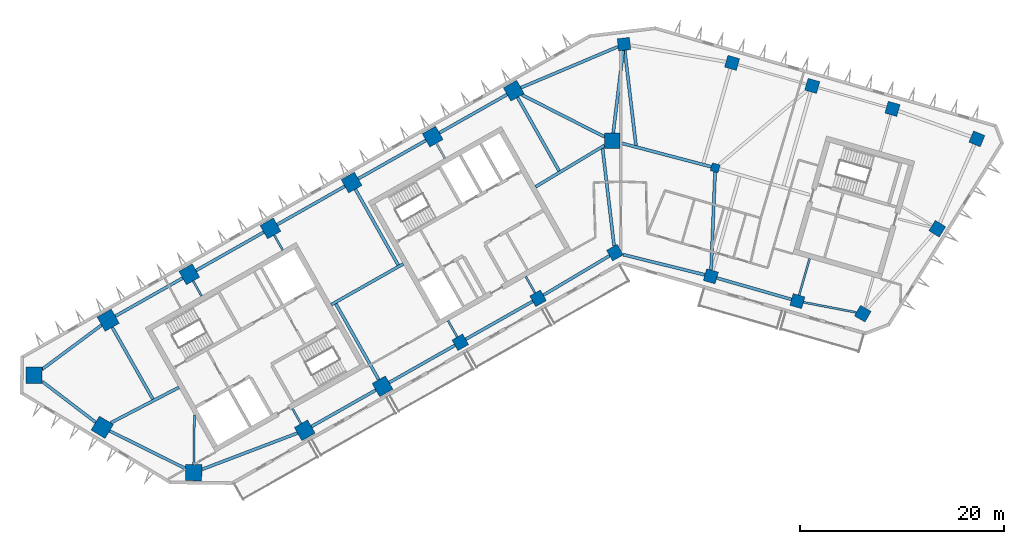
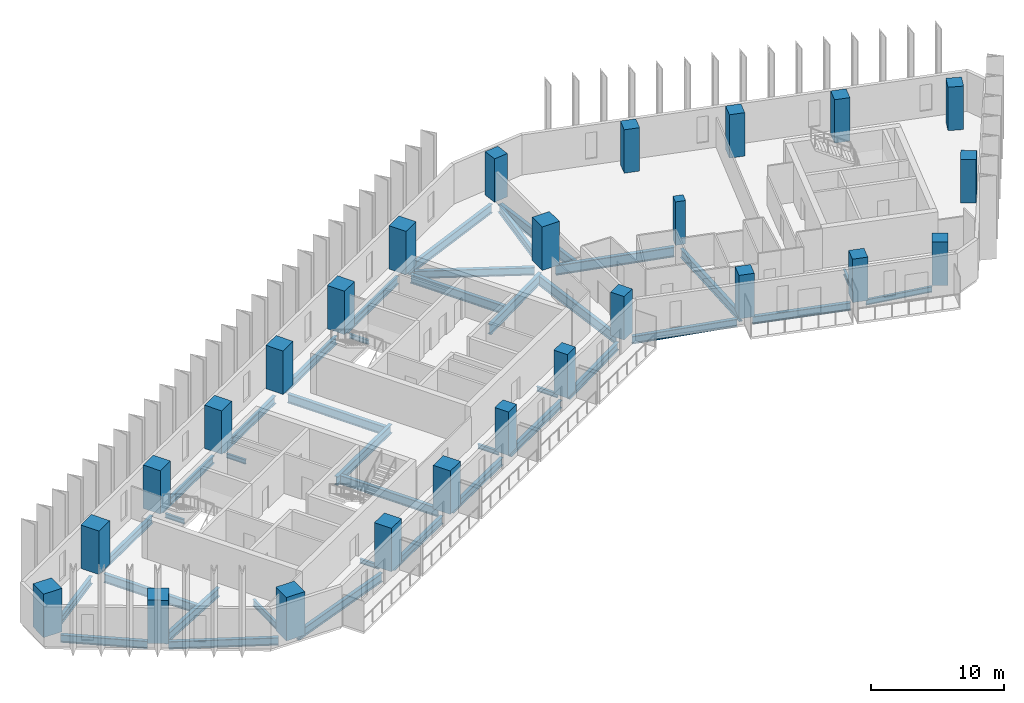
# One storey, part 1 of 10: 38 beams, 25 columns.
"""IFC4 building model written with IfcOpenShell, lengths in metres."""

from ifc_helpers import new_model, si_unit, direction, frame, origin, origin_2d, place, context, subcontext, project, spatial, rectangle, i_section, extrude, material, material_profile, profile_set, type_object, element, save


model = new_model("IFC4")

# Units and contexts
model_context = context("Model", 3, precision=1e-05, world=origin(), true_north=direction((0.0, 1.0)))
body_context = subcontext(model_context, "Body", "Model", "MODEL_VIEW")
ifc_project = project(units=[si_unit("LENGTHUNIT", "METRE"), si_unit("AREAUNIT", "SQUARE_METRE"), si_unit("VOLUMEUNIT", "CUBIC_METRE"), si_unit("PLANEANGLEUNIT", "RADIAN"), si_unit("MASSUNIT", "GRAM", prefix="KILO")], contexts=[model_context])

# Site, building, storey
site_placement = place(None, origin())
site = spatial("IfcSite", under=ifc_project, at=site_placement, CompositionType="ELEMENT")
building_placement = place(site_placement, origin())
building = spatial("IfcBuilding", under=site, at=building_placement, Name="Binnacle Exchange Tower", CompositionType="ELEMENT")
storey_placement = place(building_placement, frame((0.0, 0.0, 170.89990234375)))
storey = spatial("IfcBuildingStorey", under=building, at=storey_placement, Name="L36", CompositionType="ELEMENT", Elevation=170.89990234375)

# Columns
ifc_material_1 = material(Name="Concrete C60/75", Category="concrete")
ifc_material_profile_1 = material_profile(ifc_material_1, rectangle(XDim=0.800048828125, YDim=0.800048828125, at=origin_2d()), Name="Column 800x800 C60/75")
ifc_profile_set_1 = profile_set([ifc_material_profile_1], Name="Concrete C60/75")
column_type_1 = type_object("IfcColumnType", Name="Column 800x800 C60/75", PredefinedType="COLUMN", material=ifc_profile_set_1)
column_placement = place(storey_placement, frame((9.240966796875, 57.35009765625, 0.0), z_axis=(0.0, 0.0, 1.0), x_axis=(0.961261695938, -0.275637355817, 0.0)))
element("IfcColumn", 1, at=column_placement, inside=storey, type_object=column_type_1, Name="S:COL:C19:L36", PredefinedType="COLUMN", context=body_context, shape_type="SweptSolid", body=[
    extrude(rectangle(XDim=0.800048828125, YDim=0.800048828125, at=origin_2d()), origin(), (0.0, 0.0, 1.0), 4.0),
])
ifc_material_2 = material(Name="Concrete C70/85", Category="concrete")
ifc_material_profile_2 = material_profile(ifc_material_2, rectangle(XDim=1.199951171875, YDim=1.199951171875, at=origin_2d()), Name="Mega column 1200x1200 C70/85")
ifc_profile_set_2 = profile_set([ifc_material_profile_2], Name="Concrete C70/85")
column_type_2 = type_object("IfcColumnType", Name="Mega column 1200x1200 C70/85", PredefinedType="COLUMN", material=ifc_profile_set_2)
for number, where, z_axis, x_axis, name in (
    (2, (26.602783203125, 63.12353515625, 0.0), (0.0, 0.0, 1.0), (-0.961261695938, 0.275637355817, 0.0), "S:COL:MC52:L36"),
    (3, (18.746337890625, 65.376220703125, 0.0), (0.0, 0.0, 1.0), (-0.961261695938, 0.275637355817, 0.0), "S:COL:MC50:L36"),
    (4, (10.889892578125, 67.62890625, 0.0), (0.0, 0.0, 1.0), (-0.961261695938, 0.275637355817, 0.0), "S:COL:MC48:L36"),
    (5, (0.300048828125, 69.464111328125, 0.0), (0.0, 0.0, 1.0), (-0.993068456955, -0.117537397458, 0.0), "S:COL:MC47:L36"),
    (6, (-15.736328125, 40.257080078125, 0.0), (0.0, 0.0, 1.0), (0.87035569594, 0.492423560103, 0.0), "S:COL:MC24:L36"),
    (7, (-8.116943359375, 44.568115234375, 0.0), (0.0, 0.0, 1.0), (0.87035569594, 0.492423560103, 0.0), "S:COL:MC35:L36"),
    (8, (-0.5908203125, 49.04443359375, 0.0), (0.0, 0.0, 1.0), (0.87035569594, 0.492423560103, 0.0), "S:COL:MC46:L36"),
    (9, (8.8095703125, 46.722412109375, 0.0), (0.0, 0.0, 1.0), (0.961261695938, -0.275637355817, 0.0), "S:COL:MC49:L36"),
    (10, (17.2880859375, 44.291015625, 0.0), (0.0, 0.0, 1.0), (0.961261695938, -0.275637355817, 0.0), "S:COL:MC51:L36"),
    (11, (23.690185546875, 43.062744140625, 0.0), (0.0, 0.0, 1.0), (-0.86532642813, 0.501208711795, 0.0), "S:COL:MC53:L36"),
    (12, (30.989501953125, 51.38623046875, 0.0), (0.0, 0.0, 1.0), (0.529919264233, 0.848048096156, 0.0), "S:COL:MC55:L36"),
    (13, (34.870361328125, 60.18701171875, 0.0), (0.0, 0.0, 1.0), (-0.922814001807, 0.385245789164, 0.0), "S:COL:MC54:L36"),
):
    element("IfcColumn", number, at=place(storey_placement, frame(where, z_axis=z_axis, x_axis=x_axis)), inside=storey, type_object=column_type_2, Name=name, PredefinedType="COLUMN", context=body_context, shape_type="SweptSolid", body=[
        extrude(rectangle(XDim=1.199951171875, YDim=1.199951171875, at=origin_2d()), origin(), (0.0, 0.0, 1.0), 4.0),
    ])
ifc_material_profile_3 = material_profile(ifc_material_2, rectangle(XDim=1.5, YDim=1.5, at=origin_2d()), Name="Mega column 1500x1500 C70/85")
ifc_profile_set_3 = profile_set([ifc_material_profile_3], Name="Concrete C70/85")
column_type_3 = type_object("IfcColumnType", Name="Mega column 1500x1500 C70/85", PredefinedType="COLUMN", material=ifc_profile_set_3)
for number, where, z_axis, x_axis, name in (
    (14, (-10.4951171875, 64.901611328125, 0.0), (0.0, 0.0, 1.0), (-0.87035569594, -0.492423560103, 0.0), "S:COL:MC38:L36"),
    (15, (-18.44140625, 60.406005859375, 0.0), (0.0, 0.0, 1.0), (-0.87035569594, -0.492423560103, 0.0), "S:COL:MC29:L36"),
    (16, (-26.3876953125, 55.91015625, 0.0), (0.0, 0.0, 1.0), (-0.87035569594, -0.492423560103, 0.0), "S:COL:MC21:L36"),
    (17, (-34.333740234375, 51.414306640625, 0.0), (0.0, 0.0, 1.0), (-0.87035569594, -0.492423560103, 0.0), "S:COL:MC13:L36"),
    (18, (-42.280029296875, 46.918701171875, 0.0), (0.0, 0.0, 1.0), (-0.87035569594, -0.492423560103, 0.0), "S:COL:MC08:L36"),
    (19, (-30.9755859375, 31.63525390625, 0.0), (0.0, 0.0, 1.0), (0.87035569594, 0.492423560103, 0.0), "S:COL:MC07:L36"),
    (20, (-23.35595703125, 35.9462890625, 0.0), (0.0, 0.0, 1.0), (0.87035569594, 0.492423560103, 0.0), "S:COL:MC16:L36"),
    (21, (-0.85009765625, 60.0, 0.0), (0.0, 0.0, 1.0), (0.0, 1.0, 0.0), "S:COL:MC45:L36"),
):
    element("IfcColumn", number, at=place(storey_placement, frame(where, z_axis=z_axis, x_axis=x_axis)), inside=storey, type_object=column_type_3, Name=name, PredefinedType="COLUMN", context=body_context, shape_type="SweptSolid", body=[
        extrude(rectangle(XDim=1.5, YDim=1.5, at=origin_2d()), origin(), (0.0, 0.0, 1.0), 4.0),
    ])
ifc_material_profile_4 = material_profile(ifc_material_2, rectangle(XDim=1.60009765625, YDim=1.60009765625, at=origin_2d()), Name="Mega column 1600x1600 C70/85")
ifc_profile_set_4 = profile_set([ifc_material_profile_4], Name="Concrete C70/85")
column_type_4 = type_object("IfcColumnType", Name="Mega column 1600x1600 C70/85", PredefinedType="COLUMN", material=ifc_profile_set_4)
for number, where, z_axis, x_axis, name in (
    (22, (-50.226318359375, 42.4228515625, 0.0), (0.0, 0.0, 1.0), (-0.87035569594, -0.492423560103, 0.0), "S:COL:MC04:L36"),
    (23, (-57.492919921875, 37.02734375, 0.0), (0.0, 0.0, 1.0), (-0.013089595571, -0.999914327574, 0.0), "S:COL:MC02:L36"),
    (24, (-50.81201171875, 31.930908203125, 0.0), (0.0, 0.0, 1.0), (0.857167300702, -0.51503807491, 0.0), "S:COL:MC01:L36"),
    (25, (-41.857666015625, 27.494873046875, 0.0), (0.0, 0.0, 1.0), (0.999914327574, -0.013089595571, 0.0), "S:COL:MC03:L36"),
):
    element("IfcColumn", number, at=place(storey_placement, frame(where, z_axis=z_axis, x_axis=x_axis)), inside=storey, type_object=column_type_4, Name=name, PredefinedType="COLUMN", context=body_context, shape_type="SweptSolid", body=[
        extrude(rectangle(XDim=1.60009765625, YDim=1.60009765625, at=origin_2d()), origin(), (0.0, 0.0, 1.0), 4.0),
    ])

# Beams
ifc_material_3 = material(Name="Steel S355 (SHN355)", Category="steel")
ifc_material_profile_5 = material_profile(ifc_material_3, i_section(OverallWidth=0.200927734375, OverallDepth=0.506103515625, WebThickness=0.010986328125, FlangeThickness=0.01904296875, FilletRadius=0.02001953125, at=origin_2d()), Name="H 506x201x11x19")
ifc_profile_set_5 = profile_set([ifc_material_profile_5], Name="Steel S355 (SHN355)")
beam_type_1 = type_object("IfcBeamType", Name="Edge girder H 506x201x11x19 Steel S355 (SHN355)", PredefinedType="SPANDREL", material=ifc_profile_set_5)
beam_1_placement = place(storey_placement, frame((17.8798828125, 44.177490234375, -0.572998046875), z_axis=(0.982085171807, -0.188437563446, 0.0), x_axis=(0.188437563446, 0.982085171807, 0.0)))
element("IfcBeam", 26, at=beam_1_placement, inside=storey, type_object=beam_type_1, Name="S:BM:edge:L36:028", PredefinedType="SPANDREL", context=body_context, shape_type="SweptSolid", body=[
    extrude(i_section(OverallWidth=0.200927734375, OverallDepth=0.506103515625, WebThickness=0.010986328125, FlangeThickness=0.01904296875, FilletRadius=0.02001953125, at=origin_2d()), origin(), (0.0, 0.0, 1.0), 5.281005859375),
])
ifc_material_profile_6 = material_profile(ifc_material_3, i_section(OverallWidth=0.300048828125, OverallDepth=0.699951171875, WebThickness=0.012939453125, FlangeThickness=0.02392578125, FilletRadius=0.028076171875, at=origin_2d()), Name="H 700x300x13x24")
ifc_profile_set_6 = profile_set([ifc_material_profile_6], Name="Steel S355 (SHN355)")
beam_type_2 = type_object("IfcBeamType", Name="Edge girder H 700x300x13x24 Steel S355 (SHN355)", PredefinedType="SPANDREL", material=ifc_profile_set_6)
beam_2_placement = place(storey_placement, frame((-56.70068359375, 36.423095703125, -0.669921875), z_axis=(0.795078424379, -0.606506635649, 0.0), x_axis=(0.606506635649, 0.795078424379, 0.0)))
element("IfcBeam", 27, at=beam_2_placement, inside=storey, type_object=beam_type_2, Name="S:BM:edge:L36:011", PredefinedType="SPANDREL", context=body_context, shape_type="SweptSolid", body=[
    extrude(i_section(OverallWidth=0.300048828125, OverallDepth=0.699951171875, WebThickness=0.012939453125, FlangeThickness=0.02392578125, FilletRadius=0.028076171875, at=origin_2d()), origin(), (0.0, 0.0, 1.0), 6.6015625),
])
beam_3_placement = place(storey_placement, frame((-50.87353515625, 41.9423828125, -0.669921875), z_axis=(-0.802872533272, -0.596150732044, 0.0), x_axis=(0.596150732044, -0.802872533272, 0.0)))
element("IfcBeam", 28, at=beam_3_placement, inside=storey, type_object=beam_type_2, Name="S:BM:edge:L36:012", PredefinedType="SPANDREL", context=body_context, shape_type="SweptSolid", body=[
    extrude(i_section(OverallWidth=0.300048828125, OverallDepth=0.699951171875, WebThickness=0.012939453125, FlangeThickness=0.02392578125, FilletRadius=0.028076171875, at=origin_2d()), origin(), (0.0, 0.0, 1.0), 7.238525390625),
])
beam_4_placement = place(storey_placement, frame((-50.0927734375, 31.57470703125, -0.669921875), z_axis=(0.896061869104, -0.443929191131, 0.0), x_axis=(0.443929191131, 0.896061869104, 0.0)))
element("IfcBeam", 29, at=beam_4_placement, inside=storey, type_object=beam_type_2, Name="S:BM:edge:L36:013", PredefinedType="SPANDREL", context=body_context, shape_type="SweptSolid", body=[
    extrude(i_section(OverallWidth=0.300048828125, OverallDepth=0.699951171875, WebThickness=0.012939453125, FlangeThickness=0.02392578125, FilletRadius=0.028076171875, at=origin_2d()), origin(), (0.0, 0.0, 1.0), 8.30322265625),
])
beam_5_placement = place(storey_placement, frame((-42.932861328125, 46.54931640625, -0.669921875), z_axis=(-0.870352192811, -0.492429751811, 0.0), x_axis=(0.492429751811, -0.870352192811, 0.0)))
element("IfcBeam", 30, at=beam_5_placement, inside=storey, type_object=beam_type_2, Name="S:BM:edge:L36:014", PredefinedType="SPANDREL", context=body_context, shape_type="SweptSolid", body=[
    extrude(i_section(OverallWidth=0.300048828125, OverallDepth=0.699951171875, WebThickness=0.012939453125, FlangeThickness=0.02392578125, FilletRadius=0.028076171875, at=origin_2d()), origin(), (0.0, 0.0, 1.0), 7.57958984375),
])
beam_6_placement = place(storey_placement, frame((-34.986572265625, 51.045166015625, -0.669921875), z_axis=(-0.870355964277, -0.492423085818, 0.0), x_axis=(0.492423085818, -0.870355964277, 0.0)))
element("IfcBeam", 31, at=beam_6_placement, inside=storey, type_object=beam_type_2, Name="S:BM:edge:L36:016", PredefinedType="SPANDREL", context=body_context, shape_type="SweptSolid", body=[
    extrude(i_section(OverallWidth=0.300048828125, OverallDepth=0.699951171875, WebThickness=0.012939453125, FlangeThickness=0.02392578125, FilletRadius=0.028076171875, at=origin_2d()), origin(), (0.0, 0.0, 1.0), 7.6298828125),
])
beam_7_placement = place(storey_placement, frame((-30.32275390625, 32.004638671875, -0.669921875), z_axis=(0.870355920795, 0.492423162674, 0.0), x_axis=(-0.492423162674, 0.870355920795, 0.0)))
element("IfcBeam", 32, at=beam_7_placement, inside=storey, type_object=beam_type_2, Name="S:BM:edge:L36:017", PredefinedType="SPANDREL", context=body_context, shape_type="SweptSolid", body=[
    extrude(i_section(OverallWidth=0.300048828125, OverallDepth=0.699951171875, WebThickness=0.012939453125, FlangeThickness=0.02392578125, FilletRadius=0.028076171875, at=origin_2d()), origin(), (0.0, 0.0, 1.0), 7.25439453125),
])
beam_8_placement = place(storey_placement, frame((-27.040283203125, 55.541015625, -0.669921875), z_axis=(-0.870342250182, -0.492447324643, 0.0), x_axis=(0.492447324643, -0.870342250182, 0.0)))
element("IfcBeam", 33, at=beam_8_placement, inside=storey, type_object=beam_type_2, Name="S:BM:edge:L36:018", PredefinedType="SPANDREL", context=body_context, shape_type="SweptSolid", body=[
    extrude(i_section(OverallWidth=0.300048828125, OverallDepth=0.699951171875, WebThickness=0.012939453125, FlangeThickness=0.02392578125, FilletRadius=0.028076171875, at=origin_2d()), origin(), (0.0, 0.0, 1.0), 7.6298828125),
])
beam_9_placement = place(storey_placement, frame((-22.703125, 36.3154296875, -0.669921875), z_axis=(0.87035151347, 0.49243095252, 0.0), x_axis=(-0.49243095252, 0.87035151347, 0.0)))
element("IfcBeam", 34, at=beam_9_placement, inside=storey, type_object=beam_type_2, Name="S:BM:edge:L36:019", PredefinedType="SPANDREL", context=body_context, shape_type="SweptSolid", body=[
    extrude(i_section(OverallWidth=0.300048828125, OverallDepth=0.699951171875, WebThickness=0.012939453125, FlangeThickness=0.02392578125, FilletRadius=0.028076171875, at=origin_2d()), origin(), (0.0, 0.0, 1.0), 7.404541015625),
])
beam_10_placement = place(storey_placement, frame((-19.093994140625, 60.03662109375, -0.669921875), z_axis=(-0.870363722936, -0.492409372165, 0.0), x_axis=(0.492409372165, -0.870363722936, 0.0)))
element("IfcBeam", 35, at=beam_10_placement, inside=storey, type_object=beam_type_2, Name="S:BM:edge:L36:020", PredefinedType="SPANDREL", context=body_context, shape_type="SweptSolid", body=[
    extrude(i_section(OverallWidth=0.300048828125, OverallDepth=0.699951171875, WebThickness=0.012939453125, FlangeThickness=0.02392578125, FilletRadius=0.028076171875, at=origin_2d()), origin(), (0.0, 0.0, 1.0), 7.6298828125),
])
beam_11_placement = place(storey_placement, frame((-15.214111328125, 40.552734375, -0.669921875), z_axis=(0.870353295418, 0.492427802988, 0.0), x_axis=(-0.492427802988, 0.870353295418, 0.0)))
element("IfcBeam", 36, at=beam_11_placement, inside=storey, type_object=beam_type_2, Name="S:BM:edge:L36:021", PredefinedType="SPANDREL", context=body_context, shape_type="SweptSolid", body=[
    extrude(i_section(OverallWidth=0.300048828125, OverallDepth=0.699951171875, WebThickness=0.012939453125, FlangeThickness=0.02392578125, FilletRadius=0.028076171875, at=origin_2d()), origin(), (0.0, 0.0, 1.0), 7.554443359375),
])
beam_12_placement = place(storey_placement, frame((-11.14794921875, 64.532470703125, -0.669921875), z_axis=(-0.870355964277, -0.492423085818, 0.0), x_axis=(0.492423085818, -0.870355964277, 0.0)))
element("IfcBeam", 37, at=beam_12_placement, inside=storey, type_object=beam_type_2, Name="S:BM:edge:L36:022", PredefinedType="SPANDREL", context=body_context, shape_type="SweptSolid", body=[
    extrude(i_section(OverallWidth=0.300048828125, OverallDepth=0.699951171875, WebThickness=0.012939453125, FlangeThickness=0.02392578125, FilletRadius=0.028076171875, at=origin_2d()), origin(), (0.0, 0.0, 1.0), 7.6298828125),
])
beam_13_placement = place(storey_placement, frame((-7.60107421875, 44.875, -0.669921875), z_axis=(0.85946222832, 0.511199254783, 0.0), x_axis=(-0.511199254783, 0.85946222832, 0.0)))
element("IfcBeam", 38, at=beam_13_placement, inside=storey, type_object=beam_type_2, Name="S:BM:edge:L36:023", PredefinedType="SPANDREL", context=body_context, shape_type="SweptSolid", body=[
    extrude(i_section(OverallWidth=0.300048828125, OverallDepth=0.699951171875, WebThickness=0.012939453125, FlangeThickness=0.02392578125, FilletRadius=0.028076171875, at=origin_2d()), origin(), (0.0, 0.0, 1.0), 7.556396484375),
])
beam_14_placement = place(storey_placement, frame((0.21044921875, 48.846435546875, -0.669921875), z_axis=(0.970817017645, -0.239821429924, 0.0), x_axis=(0.239821429924, 0.970817017645, 0.0)))
element("IfcBeam", 39, at=beam_14_placement, inside=storey, type_object=beam_type_2, Name="S:BM:edge:L36:025", PredefinedType="SPANDREL", context=body_context, shape_type="SweptSolid", body=[
    extrude(i_section(OverallWidth=0.300048828125, OverallDepth=0.699951171875, WebThickness=0.012939453125, FlangeThickness=0.02392578125, FilletRadius=0.028076171875, at=origin_2d()), origin(), (0.0, 0.0, 1.0), 8.257080078125),
])
beam_15_placement = place(storey_placement, frame((9.38623046875, 46.556884765625, -0.669921875), z_axis=(0.961266012815, -0.275622300635, 0.0), x_axis=(0.275622300635, 0.961266012815, 0.0)))
element("IfcBeam", 40, at=beam_15_placement, inside=storey, type_object=beam_type_2, Name="S:BM:edge:L36:026", PredefinedType="SPANDREL", context=body_context, shape_type="SweptSolid", body=[
    extrude(i_section(OverallWidth=0.300048828125, OverallDepth=0.699951171875, WebThickness=0.012939453125, FlangeThickness=0.02392578125, FilletRadius=0.028076171875, at=origin_2d()), origin(), (0.0, 0.0, 1.0), 7.620361328125),
])
ifc_material_profile_7 = material_profile(ifc_material_3, i_section(OverallWidth=0.300048828125, OverallDepth=0.800048828125, WebThickness=0.013916015625, FlangeThickness=0.02587890625, FilletRadius=0.028076171875, at=origin_2d()), Name="H 800x300x14x26")
ifc_profile_set_7 = profile_set([ifc_material_profile_7], Name="Steel S355 (SHN355)")
beam_type_3 = type_object("IfcBeamType", Name="Edge girder H 800x300x14x26 Steel S355 (SHN355)", PredefinedType="SPANDREL", material=ifc_profile_set_7)
beam_16_placement = place(storey_placement, frame((-41.0537109375, 27.80078125, -0.719970703125), z_axis=(0.934633884233, 0.355611448695, 0.0), x_axis=(-0.355611448695, 0.934633884233, 0.0)))
element("IfcBeam", 41, at=beam_16_placement, inside=storey, type_object=beam_type_3, Name="S:BM:edge:L36:015", PredefinedType="SPANDREL", context=body_context, shape_type="SweptSolid", body=[
    extrude(i_section(OverallWidth=0.300048828125, OverallDepth=0.800048828125, WebThickness=0.013916015625, FlangeThickness=0.02587890625, FilletRadius=0.028076171875, at=origin_2d()), origin(), (0.0, 0.0, 1.0), 10.024169921875),
])
beam_17_placement = place(storey_placement, frame((-0.275390625, 69.220947265625, -0.719970703125), z_axis=(-0.921111875234, -0.389297974953, 0.0), x_axis=(0.389297974953, -0.921111875234, 0.0)))
element("IfcBeam", 42, at=beam_17_placement, inside=storey, type_object=beam_type_3, Name="S:BM:edge:L36:024", PredefinedType="SPANDREL", context=body_context, shape_type="SweptSolid", body=[
    extrude(i_section(OverallWidth=0.300048828125, OverallDepth=0.800048828125, WebThickness=0.013916015625, FlangeThickness=0.02587890625, FilletRadius=0.028076171875, at=origin_2d()), origin(), (0.0, 0.0, 1.0), 10.340087890625),
])
ifc_material_profile_8 = material_profile(ifc_material_3, i_section(OverallWidth=0.199951171875, OverallDepth=0.39990234375, WebThickness=0.008056640625, FlangeThickness=0.012939453125, FilletRadius=0.01611328125, at=origin_2d()), Name="H 400x200x8x13")
ifc_profile_set_8 = profile_set([ifc_material_profile_8], Name="Steel S355 (SHN355)")
beam_type_4 = type_object("IfcBeamType", Name="Floor beam H 400x200x8x13 Steel S355 (SHN355)", PredefinedType="BEAM", material=ifc_profile_set_8)
beam_18_placement = place(storey_placement, frame((-41.91064453125, 46.265869140625, -0.52001953125), z_axis=(0.49243456751, -0.870349468157, 0.0), x_axis=(0.870349468157, 0.49243456751, 0.0)))
element("IfcBeam", 43, at=beam_18_placement, inside=storey, type_object=beam_type_4, Name="S:BM:cross:L36:035", PredefinedType="BEAM", context=body_context, shape_type="SweptSolid", body=[
    extrude(i_section(OverallWidth=0.199951171875, OverallDepth=0.39990234375, WebThickness=0.008056640625, FlangeThickness=0.012939453125, FilletRadius=0.01611328125, at=origin_2d()), origin(), (0.0, 0.0, 1.0), 1.68408203125),
])
beam_19_placement = place(storey_placement, frame((-33.964599609375, 50.76171875, -0.52001953125), z_axis=(0.492482237839, -0.870322495063, 0.0), x_axis=(0.870322495063, 0.492482237839, 0.0)))
element("IfcBeam", 44, at=beam_19_placement, inside=storey, type_object=beam_type_4, Name="S:BM:cross:L36:037", PredefinedType="BEAM", context=body_context, shape_type="SweptSolid", body=[
    extrude(i_section(OverallWidth=0.199951171875, OverallDepth=0.39990234375, WebThickness=0.008056640625, FlangeThickness=0.012939453125, FilletRadius=0.01611328125, at=origin_2d()), origin(), (0.0, 0.0, 1.0), 1.6845703125),
])
for number, where, z_axis, x_axis, name in (
    (45, (-31.344970703125, 32.2880859375, -0.52001953125), (-0.49243456751, 0.870349468157, 0.0), (-0.870349468157, -0.49243456751, 0.0), "S:BM:cross:L36:038"),
    (46, (-18.072021484375, 59.753173828125, -0.52001953125), (0.49243456751, -0.870349468157, 0.0), (0.870349468157, 0.49243456751, 0.0), "S:BM:cross:L36:041"),
):
    element("IfcBeam", number, at=place(storey_placement, frame(where, z_axis=z_axis, x_axis=x_axis)), inside=storey, type_object=beam_type_4, Name=name, PredefinedType="BEAM", context=body_context, shape_type="SweptSolid", body=[
        extrude(i_section(OverallWidth=0.199951171875, OverallDepth=0.39990234375, WebThickness=0.008056640625, FlangeThickness=0.012939453125, FilletRadius=0.01611328125, at=origin_2d()), origin(), (0.0, 0.0, 1.0), 1.68408203125),
    ])
beam_20_placement = place(storey_placement, frame((-16.031982421875, 40.779296875, -0.52001953125), z_axis=(-0.492307212856, 0.870421511781, 0.0), x_axis=(-0.870421511781, -0.492307212856, 0.0)))
element("IfcBeam", 47, at=beam_20_placement, inside=storey, type_object=beam_type_4, Name="S:BM:cross:L36:042", PredefinedType="BEAM", context=body_context, shape_type="SweptSolid", body=[
    extrude(i_section(OverallWidth=0.199951171875, OverallDepth=0.39990234375, WebThickness=0.008056640625, FlangeThickness=0.012939453125, FilletRadius=0.01611328125, at=origin_2d()), origin(), (0.0, 0.0, 1.0), 1.83447265625),
])
beam_21_placement = place(storey_placement, frame((-8.412353515625, 45.09033203125, -0.52001953125), z_axis=(-0.492465079532, 0.87033220407, 0.0), x_axis=(-0.87033220407, -0.492465079532, 0.0)))
element("IfcBeam", 48, at=beam_21_placement, inside=storey, type_object=beam_type_4, Name="S:BM:cross:L36:044", PredefinedType="BEAM", context=body_context, shape_type="SweptSolid", body=[
    extrude(i_section(OverallWidth=0.199951171875, OverallDepth=0.39990234375, WebThickness=0.008056640625, FlangeThickness=0.012939453125, FilletRadius=0.01611328125, at=origin_2d()), origin(), (0.0, 0.0, 1.0), 1.834228515625),
])
ifc_material_profile_9 = material_profile(ifc_material_3, i_section(OverallWidth=0.199951171875, OverallDepth=0.5, WebThickness=0.010009765625, FlangeThickness=0.01611328125, FilletRadius=0.02001953125, at=origin_2d()), Name="H 500x200x10x16")
ifc_profile_set_9 = profile_set([ifc_material_profile_9], Name="Steel S355 (SHN355)")
beam_type_5 = type_object("IfcBeamType", Name="Floor beam H 500x200x10x16 Steel S355 (SHN355)", PredefinedType="BEAM", material=ifc_profile_set_9)
beam_22_placement = place(storey_placement, frame((17.45361328125, 44.867919921875, -0.56982421875), z_axis=(0.275644746045, 0.961259576794, 0.0), x_axis=(-0.961259576794, 0.275644746045, 0.0)))
element("IfcBeam", 49, at=beam_22_placement, inside=storey, type_object=beam_type_5, Name="S:BM:cross:L36:049", PredefinedType="BEAM", context=body_context, shape_type="SweptSolid", body=[
    extrude(i_section(OverallWidth=0.199951171875, OverallDepth=0.5, WebThickness=0.010009765625, FlangeThickness=0.01611328125, FilletRadius=0.02001953125, at=origin_2d()), origin(), (0.0, 0.0, 1.0), 3.735107421875),
])
ifc_material_profile_10 = material_profile(ifc_material_3, i_section(OverallWidth=0.200927734375, OverallDepth=0.60595703125, WebThickness=0.011962890625, FlangeThickness=0.02001953125, FilletRadius=0.02197265625, at=origin_2d()), Name="H 606x201x12x20")
ifc_profile_set_10 = profile_set([ifc_material_profile_10], Name="Steel S355 (SHN355)")
beam_type_6 = type_object("IfcBeamType", Name="Floor beam H 606x201x12x20 Steel S355 (SHN355)", PredefinedType="BEAM", material=ifc_profile_set_10)
beam_23_placement = place(storey_placement, frame((-41.84716796875, 28.294677734375, -0.622802734375), z_axis=(0.013085908175, 0.999914375838, 0.0), x_axis=(-0.999914375838, 0.013085908175, 0.0)))
element("IfcBeam", 50, at=beam_23_placement, inside=storey, type_object=beam_type_6, Name="S:BM:cross:L36:036", PredefinedType="BEAM", context=body_context, shape_type="SweptSolid", body=[
    extrude(i_section(OverallWidth=0.200927734375, OverallDepth=0.60595703125, WebThickness=0.011962890625, FlangeThickness=0.02001953125, FilletRadius=0.02197265625, at=origin_2d()), origin(), (0.0, 0.0, 1.0), 4.850830078125),
])
ifc_material_profile_11 = material_profile(ifc_material_3, i_section(OverallWidth=0.302001953125, OverallDepth=0.80810546875, WebThickness=0.01611328125, FlangeThickness=0.030029296875, FilletRadius=0.028076171875, at=origin_2d()), Name="H 808x302x16x30")
ifc_profile_set_11 = profile_set([ifc_material_profile_11], Name="Steel S355 (SHN355)")
beam_type_7 = type_object("IfcBeamType", Name="Floor beam H 808x302x16x30 Steel S355 (SHN355)", PredefinedType="BEAM", material=ifc_profile_set_11)
beam_24_placement = place(storey_placement, frame((-49.832275390625, 41.7265625, -0.723876953125), z_axis=(0.492430056331, -0.870352020519, 0.0), x_axis=(0.870352020519, 0.492430056331, 0.0)))
element("IfcBeam", 51, at=beam_24_placement, inside=storey, type_object=beam_type_7, Name="S:BM:cross:L36:034", PredefinedType="BEAM", context=body_context, shape_type="SweptSolid", body=[
    extrude(i_section(OverallWidth=0.302001953125, OverallDepth=0.80810546875, WebThickness=0.01611328125, FlangeThickness=0.030029296875, FilletRadius=0.028076171875, at=origin_2d()), origin(), (0.0, 0.0, 1.0), 8.09130859375),
])
for number, where, z_axis, x_axis, name in (
    (52, (-26.018310546875, 55.25732421875, -0.723876953125), (0.4924220214, -0.870356566495, 0.0), (0.870356566495, 0.4924220214, 0.0), "S:BM:cross:L36:039"),
    (53, (-23.725341796875, 36.59912109375, -0.723876953125), (-0.4924220214, 0.870356566495, 0.0), (-0.870356566495, -0.4924220214, 0.0), "S:BM:cross:L36:040"),
):
    element("IfcBeam", number, at=place(storey_placement, frame(where, z_axis=z_axis, x_axis=x_axis)), inside=storey, type_object=beam_type_7, Name=name, PredefinedType="BEAM", context=body_context, shape_type="SweptSolid", body=[
        extrude(i_section(OverallWidth=0.302001953125, OverallDepth=0.80810546875, WebThickness=0.01611328125, FlangeThickness=0.030029296875, FilletRadius=0.028076171875, at=origin_2d()), origin(), (0.0, 0.0, 1.0), 8.5341796875),
    ])
beam_25_placement = place(storey_placement, frame((-10.125732421875, 64.248779296875, -0.723876953125), z_axis=(0.492423973828, -0.870355461866, 0.0), x_axis=(0.870355461866, 0.492423973828, 0.0)))
element("IfcBeam", 54, at=beam_25_placement, inside=storey, type_object=beam_type_7, Name="S:BM:cross:L36:043", PredefinedType="BEAM", context=body_context, shape_type="SweptSolid", body=[
    extrude(i_section(OverallWidth=0.302001953125, OverallDepth=0.80810546875, WebThickness=0.01611328125, FlangeThickness=0.030029296875, FilletRadius=0.028076171875, at=origin_2d()), origin(), (0.0, 0.0, 1.0), 8.269287109375),
])
ifc_material_profile_12 = material_profile(ifc_material_3, i_section(OverallWidth=0.302001953125, OverallDepth=0.912109375, WebThickness=0.01806640625, FlangeThickness=0.033935546875, FilletRadius=0.028076171875, at=origin_2d()), Name="H 912x302x18x34")
ifc_profile_set_12 = profile_set([ifc_material_profile_12], Name="Steel S355 (SHN355)")
beam_type_8 = type_object("IfcBeamType", Name="Floor beam H 912x302x18x34 Steel S355 (SHN355)", PredefinedType="BEAM", material=ifc_profile_set_12)
beam_26_placement = place(storey_placement, frame((-0.66748046875, 49.690673828125, -0.77587890625), z_axis=(-0.117518220547, 0.993070726504, 0.0), x_axis=(-0.993070726504, -0.117518220547, 0.0)))
element("IfcBeam", 55, at=beam_26_placement, inside=storey, type_object=beam_type_8, Name="S:BM:cross:L36:045", PredefinedType="BEAM", context=body_context, shape_type="SweptSolid", body=[
    extrude(i_section(OverallWidth=0.302001953125, OverallDepth=0.912109375, WebThickness=0.01806640625, FlangeThickness=0.033935546875, FilletRadius=0.028076171875, at=origin_2d()), origin(), (0.0, 0.0, 1.0), 9.645751953125),
])
beam_27_placement = place(storey_placement, frame((0.37060546875, 68.868408203125, -0.77587890625), z_axis=(0.117552497625, -0.993066669616, 0.0), x_axis=(0.993066669616, 0.117552497625, 0.0)))
element("IfcBeam", 56, at=beam_27_placement, inside=storey, type_object=beam_type_8, Name="S:BM:cross:L36:046", PredefinedType="BEAM", context=body_context, shape_type="SweptSolid", body=[
    extrude(i_section(OverallWidth=0.302001953125, OverallDepth=0.912109375, WebThickness=0.01806640625, FlangeThickness=0.033935546875, FilletRadius=0.028076171875, at=origin_2d()), origin(), (0.0, 0.0, 1.0), 9.39990234375),
])
ifc_material_profile_13 = material_profile(ifc_material_3, i_section(OverallWidth=0.300048828125, OverallDepth=0.699951171875, WebThickness=0.012939453125, FlangeThickness=0.02392578125, FilletRadius=0.028076171875, at=origin_2d()), Name="H 700x300x13x24")
ifc_profile_set_13 = profile_set([ifc_material_profile_13], Name="Steel S355 (SHN355)")
beam_type_9 = type_object("IfcBeamType", Name="Spine girder H 700x300x13x24 Steel S355 (SHN355)", PredefinedType="BEAM", material=ifc_profile_set_13)
beam_28_placement = place(storey_placement, frame((-0.7587890625, 60.75, -0.669921875), z_axis=(0.120620829002, 0.992698652971, 0.0), x_axis=(-0.992698652971, 0.120620829002, 0.0)))
element("IfcBeam", 57, at=beam_28_placement, inside=storey, type_object=beam_type_9, Name="S:BM:spine:L36:005", PredefinedType="BEAM", context=body_context, shape_type="SweptSolid", body=[
    extrude(i_section(OverallWidth=0.300048828125, OverallDepth=0.699951171875, WebThickness=0.012939453125, FlangeThickness=0.02392578125, FilletRadius=0.028076171875, at=origin_2d()), origin(), (0.0, 0.0, 1.0), 8.160888671875),
])
ifc_material_profile_14 = material_profile(ifc_material_3, i_section(OverallWidth=0.302001953125, OverallDepth=0.7080078125, WebThickness=0.014892578125, FlangeThickness=0.028076171875, FilletRadius=0.028076171875, at=origin_2d()), Name="H 708x302x15x28")
ifc_profile_set_14 = profile_set([ifc_material_profile_14], Name="Steel S355 (SHN355)")
beam_type_10 = type_object("IfcBeamType", Name="Spine girder H 708x302x15x28 Steel S355 (SHN355)", PredefinedType="BEAM", material=ifc_profile_set_14)
beam_29_placement = place(storey_placement, frame((-1.60009765625, 60.381103515625, -0.673828125), z_axis=(-0.891476459322, 0.453067017641, 0.0), x_axis=(-0.453067017641, -0.891476459322, 0.0)))
element("IfcBeam", 58, at=beam_29_placement, inside=storey, type_object=beam_type_10, Name="S:BM:spine:L36:004", PredefinedType="BEAM", context=body_context, shape_type="SweptSolid", body=[
    extrude(i_section(OverallWidth=0.302001953125, OverallDepth=0.7080078125, WebThickness=0.014892578125, FlangeThickness=0.028076171875, FilletRadius=0.028076171875, at=origin_2d()), origin(), (0.0, 0.0, 1.0), 9.07763671875),
])
ifc_material_profile_15 = material_profile(ifc_material_3, i_section(OverallWidth=0.302001953125, OverallDepth=0.80810546875, WebThickness=0.01611328125, FlangeThickness=0.030029296875, FilletRadius=0.028076171875, at=origin_2d()), Name="H 808x302x16x30")
ifc_profile_set_15 = profile_set([ifc_material_profile_15], Name="Steel S355 (SHN355)")
beam_type_11 = type_object("IfcBeamType", Name="Spine girder H 808x302x16x30 Steel S355 (SHN355)", PredefinedType="BEAM", material=ifc_profile_set_15)
beam_30_placement = place(storey_placement, frame((-49.979736328125, 32.3642578125, -0.723876953125), z_axis=(0.886978621009, 0.461810486968, 0.0), x_axis=(-0.461810486968, 0.886978621009, 0.0)))
element("IfcBeam", 59, at=beam_30_placement, inside=storey, type_object=beam_type_11, Name="S:BM:spine:L36:001", PredefinedType="BEAM", context=body_context, shape_type="SweptSolid", body=[
    extrude(i_section(OverallWidth=0.302001953125, OverallDepth=0.80810546875, WebThickness=0.01611328125, FlangeThickness=0.030029296875, FilletRadius=0.028076171875, at=origin_2d()), origin(), (0.0, 0.0, 1.0), 7.522216796875),
])
beam_31_placement = place(storey_placement, frame((-28.365478515625, 43.951416015625, -0.723876953125), z_axis=(0.870350319004, 0.492433063684, 0.0), x_axis=(-0.492433063684, 0.870350319004, 0.0)))
element("IfcBeam", 60, at=beam_31_placement, inside=storey, type_object=beam_type_11, Name="S:BM:spine:L36:002", PredefinedType="BEAM", context=body_context, shape_type="SweptSolid", body=[
    extrude(i_section(OverallWidth=0.302001953125, OverallDepth=0.80810546875, WebThickness=0.01611328125, FlangeThickness=0.030029296875, FilletRadius=0.028076171875, at=origin_2d()), origin(), (0.0, 0.0, 1.0), 8.0908203125),
])
beam_32_placement = place(storey_placement, frame((9.22412109375, 56.93896484375, -0.723876953125), z_axis=(-0.040556634715, -0.999177241224, 0.0), x_axis=(0.999177241224, -0.040556634715, 0.0)))
element("IfcBeam", 61, at=beam_32_placement, inside=storey, type_object=beam_type_11, Name="S:BM:spine:L36:007", PredefinedType="BEAM", context=body_context, shape_type="SweptSolid", body=[
    extrude(i_section(OverallWidth=0.302001953125, OverallDepth=0.80810546875, WebThickness=0.01611328125, FlangeThickness=0.030029296875, FilletRadius=0.028076171875, at=origin_2d()), origin(), (0.0, 0.0, 1.0), 9.607421875),
])
ifc_material_profile_16 = material_profile(ifc_material_3, i_section(OverallWidth=0.302001953125, OverallDepth=0.912109375, WebThickness=0.01806640625, FlangeThickness=0.033935546875, FilletRadius=0.028076171875, at=origin_2d()), Name="H 912x302x18x34")
ifc_profile_set_16 = profile_set([ifc_material_profile_16], Name="Steel S355 (SHN355)")
beam_type_12 = type_object("IfcBeamType", Name="Spine girder H 912x302x18x34 Steel S355 (SHN355)", PredefinedType="BEAM", material=ifc_profile_set_16)
beam_33_placement = place(storey_placement, frame((-8.36328125, 55.489990234375, -0.77587890625), z_axis=(0.857386401747, 0.514673253724, 0.0), x_axis=(-0.514673253724, 0.857386401747, 0.0)))
element("IfcBeam", 62, at=beam_33_placement, inside=storey, type_object=beam_type_12, Name="S:BM:spine:L36:003", PredefinedType="BEAM", context=body_context, shape_type="SweptSolid", body=[
    extrude(i_section(OverallWidth=0.302001953125, OverallDepth=0.912109375, WebThickness=0.01806640625, FlangeThickness=0.033935546875, FilletRadius=0.028076171875, at=origin_2d()), origin(), (0.0, 0.0, 1.0), 7.88818359375),
])
beam_34_placement = place(storey_placement, frame((-0.10009765625, 59.802978515625, -0.77587890625), z_axis=(0.967214448634, -0.253961041017, 0.0), x_axis=(0.253961041017, 0.967214448634, 0.0)))
element("IfcBeam", 63, at=beam_34_placement, inside=storey, type_object=beam_type_12, Name="S:BM:spine:L36:006", PredefinedType="BEAM", context=body_context, shape_type="SweptSolid", body=[
    extrude(i_section(OverallWidth=0.302001953125, OverallDepth=0.912109375, WebThickness=0.01806640625, FlangeThickness=0.033935546875, FilletRadius=0.028076171875, at=origin_2d()), origin(), (0.0, 0.0, 1.0), 9.257568359375),
])

save(model, "model.ifc")
